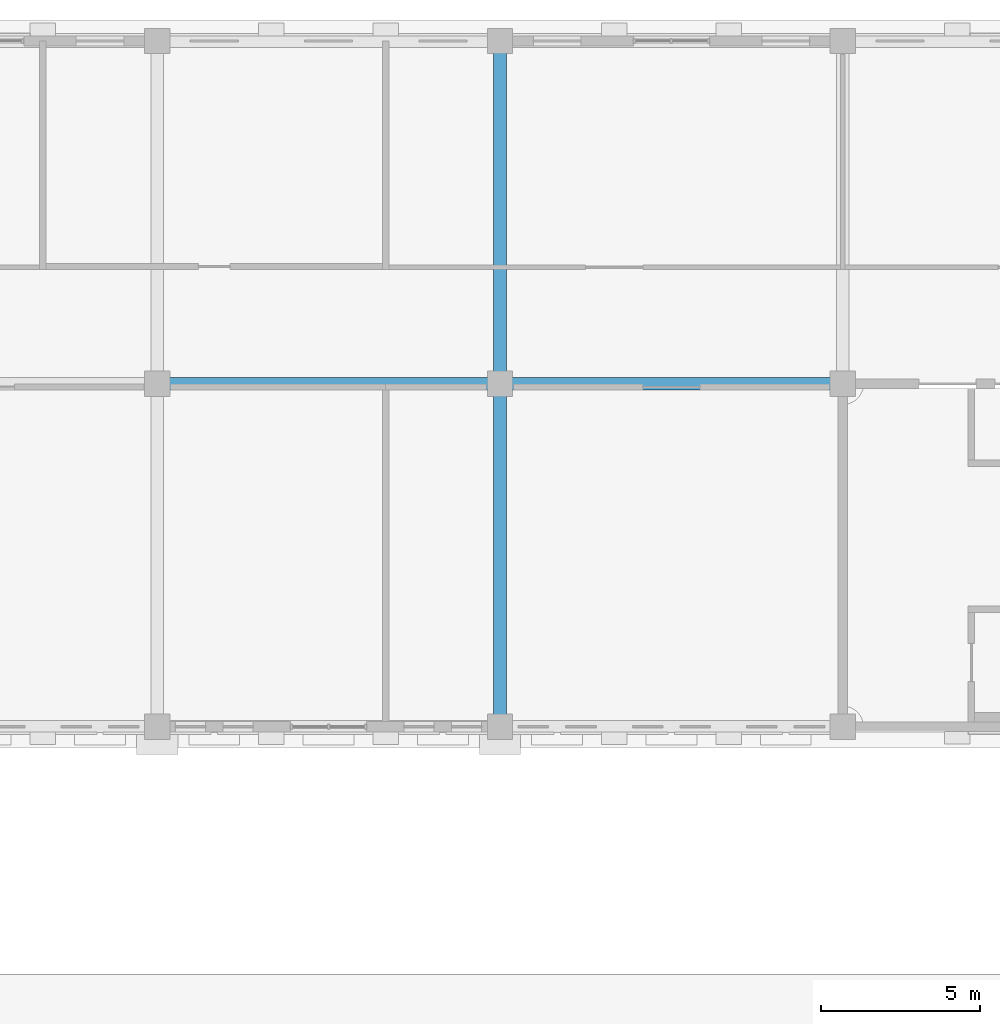
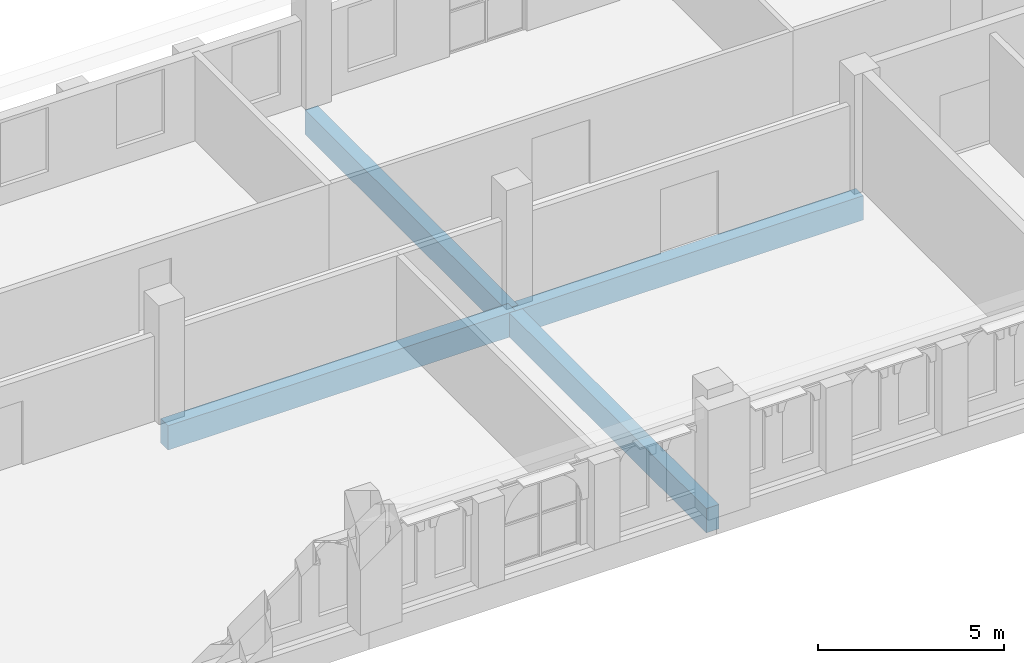
# One storey, part 23 of 56: 4 beams.
"""IFC4 building model written with IfcOpenShell, lengths in metres."""

from ifc_helpers import new_model, si_unit, direction, frame, origin, origin_2d, place, context, subcontext, project, spatial, rectangle, extrude, material, material_profile, profile_set, type_object, element, save


model = new_model("IFC4")

# Units and contexts
model_context = context("Model", 3, precision=1e-05, world=origin(), true_north=direction((0.0, 1.0)))
body_context = subcontext(model_context, "Body", "Model", "MODEL_VIEW")
ifc_project = project(units=[si_unit("LENGTHUNIT", "METRE"), si_unit("AREAUNIT", "SQUARE_METRE"), si_unit("VOLUMEUNIT", "CUBIC_METRE"), si_unit("PLANEANGLEUNIT", "RADIAN"), si_unit("MASSUNIT", "GRAM", prefix="KILO")], contexts=[model_context])

# Site, building, storey
site_placement = place(None, origin())
site = spatial("IfcSite", under=ifc_project, at=site_placement, CompositionType="ELEMENT")
building_placement = place(site_placement, origin())
building = spatial("IfcBuilding", under=site, at=building_placement, Name="Magnolia Steps Interchange", CompositionType="ELEMENT")
storey_placement = place(building_placement, frame((0.0, 0.0, 8.699951171875)))
storey = spatial("IfcBuildingStorey", under=building, at=storey_placement, Name="L02", CompositionType="ELEMENT", Elevation=8.699951171875)

# Beams
ifc_material = material(Name="Concrete C40", Category="concrete")
ifc_material_profile = material_profile(ifc_material, rectangle(XDim=0.39990234375, YDim=0.800048828125, at=origin_2d()), Name="RC400x800")
ifc_profile_set = profile_set([ifc_material_profile], Name="Concrete C40")
beam_type = type_object("IfcBeamType", Name="RC beam 400x800", PredefinedType="BEAM", material=ifc_profile_set)
beam_placement = place(storey_placement, frame((85.60009765625, 107.199951171875, -0.699951171875), z_axis=(1.0, 0.0, 0.0), x_axis=(0.0, 1.0, 0.0)))
element("IfcBeam", 1, at=beam_placement, inside=storey, type_object=beam_type, Name="Beam L02 J 8-9", PredefinedType="BEAM", context=body_context, shape_type="SweptSolid", body=[
    extrude(rectangle(XDim=0.39990234375, YDim=0.800048828125, at=origin_2d()), origin(), (0.0, 0.0, 1.0), 10.7998046875),
])
for number, where, z_axis, x_axis, name in (
    (2, (96.39990234375, 107.199951171875, -0.699951171875), (1.0, 0.0, 0.0), (0.0, 1.0, 0.0), "Beam L02 J 9-10"),
    (3, (96.39990234375, 96.39990234375, -0.699951171875), (0.0, 1.0, 0.0), (-1.0, 0.0, 0.0), "Beam L02 9 I-J"),
    (4, (96.39990234375, 107.199951171875, -0.699951171875), (0.0, 1.0, 0.0), (-1.0, 0.0, 0.0), "Beam L02 9 J-K"),
):
    element("IfcBeam", number, at=place(storey_placement, frame(where, z_axis=z_axis, x_axis=x_axis)), inside=storey, type_object=beam_type, Name=name, PredefinedType="BEAM", context=body_context, shape_type="SweptSolid", body=[
        extrude(rectangle(XDim=0.39990234375, YDim=0.800048828125, at=origin_2d()), origin(), (0.0, 0.0, 1.0), 10.800048828125),
    ])

save(model, "model.ifc")
